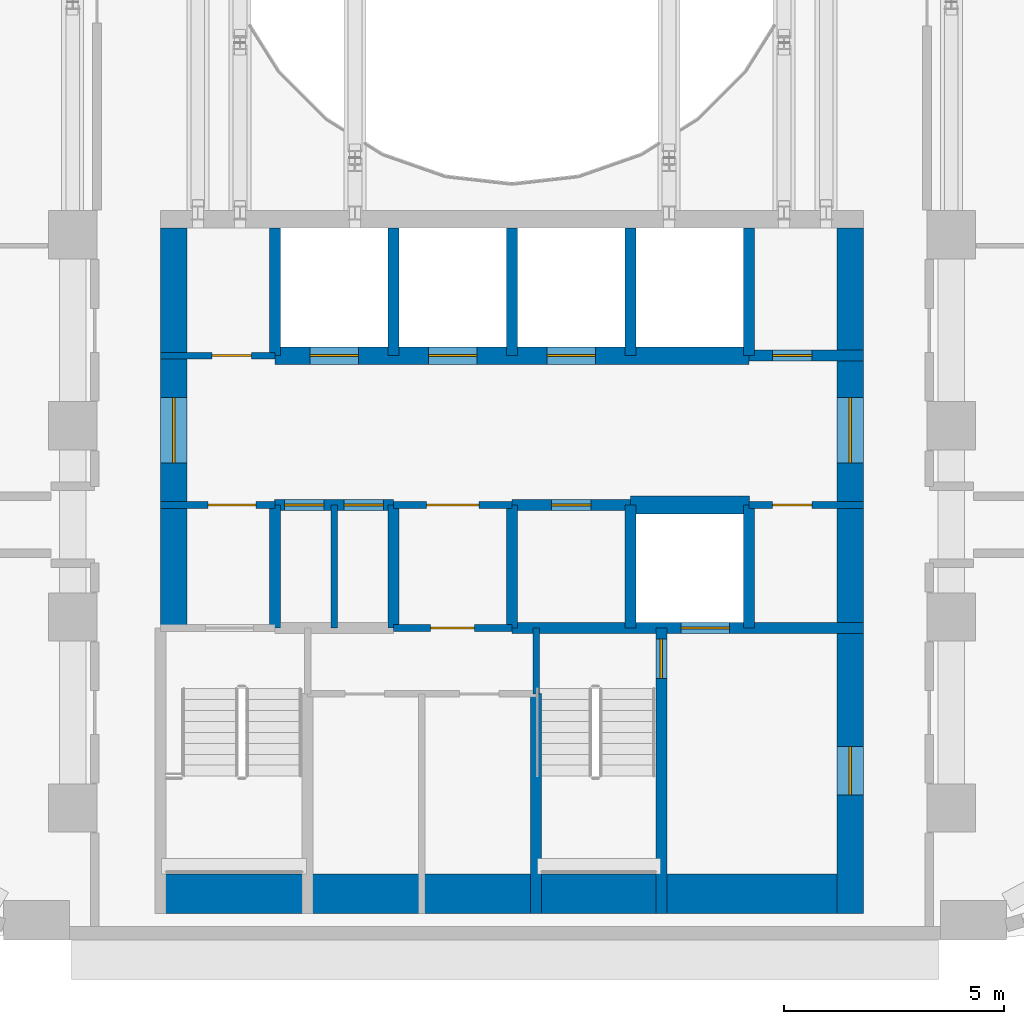
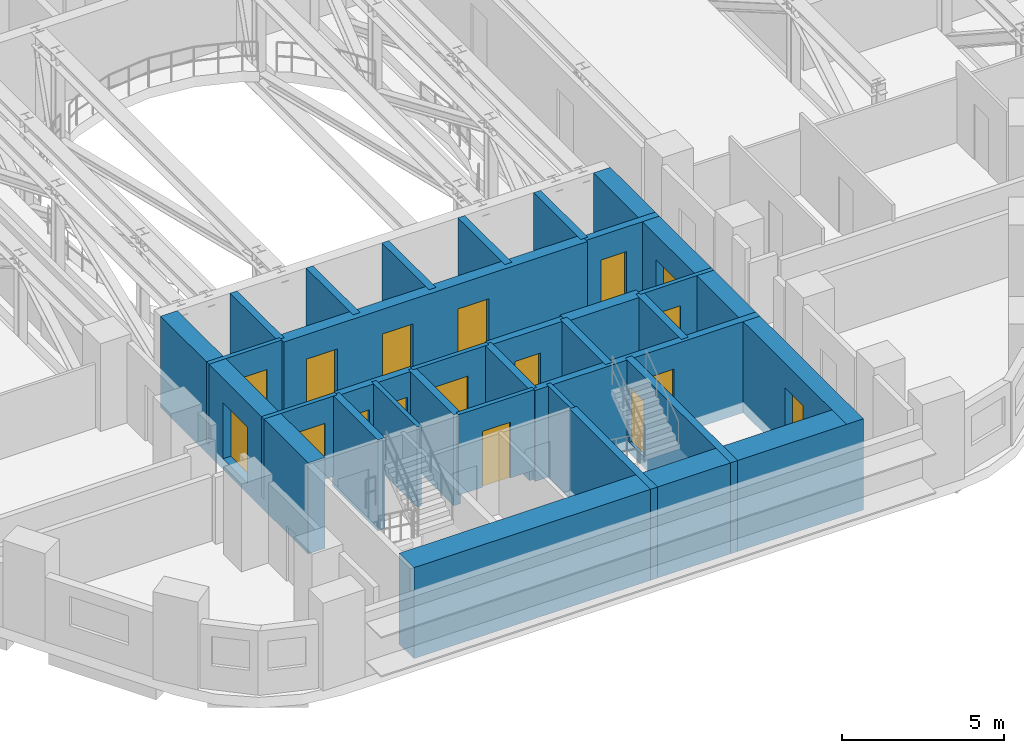
# One storey, part 7 of 18: 28 walls, 17 doors, 17 openings.
"""IFC4 building model written with IfcOpenShell, lengths in metres."""

from ifc_helpers import new_model, si_unit, direction, frame, frame_2d, origin, place, context, subcontext, project, spatial, rectangle, extrude, material, layer, layer_set, type_object, element, fill, save


model = new_model("IFC4")

# Units and contexts
model_context = context("Model", 3, precision=1e-05, world=origin(), true_north=direction((0.0, 1.0)))
body_context = subcontext(model_context, "Body", "Model", "MODEL_VIEW")
ifc_project = project(units=[si_unit("LENGTHUNIT", "METRE"), si_unit("AREAUNIT", "SQUARE_METRE"), si_unit("VOLUMEUNIT", "CUBIC_METRE"), si_unit("PLANEANGLEUNIT", "RADIAN"), si_unit("MASSUNIT", "GRAM", prefix="KILO")], contexts=[model_context])

# Site, building, storey
site_placement = place(None, origin())
site = spatial("IfcSite", under=ifc_project, at=site_placement, CompositionType="ELEMENT")
building_placement = place(site_placement, origin())
building = spatial("IfcBuilding", under=site, at=building_placement, Name="Nakaniwa Court", CompositionType="ELEMENT")
storey_placement = place(building_placement, frame((0.0, 0.0, 38.10009765625)))
storey = spatial("IfcBuildingStorey", under=building, at=storey_placement, Name="L09", CompositionType="ELEMENT", Elevation=38.10009765625)

# Wall, opening, door
ifc_material_1 = material(Name="Blockwork partition", Category="masonry")
ifc_layer_1 = layer(ifc_material_1, 0.14990234375)
ifc_layer_set_1 = layer_set([ifc_layer_1], Name="Blockwork partition")
wall_type_1 = type_object("IfcWallType", Name="Blockwork partition 150", PredefinedType="PARTITIONING", material=ifc_layer_set_1)
wall_1_placement = place(storey_placement, frame((72.0, 69.300048828125, 0.0), z_axis=(0.0, 0.0, 1.0), x_axis=(1.0, 0.0, 0.0)))
wall_1 = element("IfcWall", 1, at=wall_1_placement, inside=storey, type_object=wall_type_1, Name="Partition PW-037", PredefinedType="PARTITIONING", context=body_context, shape_type="SweptSolid", body=[
    extrude(rectangle(XDim=2.60009765625, YDim=0.14990234375, at=frame_2d((1.300048828125, 0.0))), origin(), (0.0, 0.0, 1.0), 3.02490234375),
])
opening_1_placement = place(wall_1_placement, frame((1.175048828125, 0.0, 0.0)))
opening_1 = element("IfcOpeningElement", 2, at=opening_1_placement, cuts=wall_1, Name="Opening D-05-09", PredefinedType="OPENING", context=body_context, shape_type="SweptSolid", body=[
    extrude(rectangle(XDim=0.89990234375, YDim=2.10009765625, at=frame_2d((0.449951171875, 1.050048828125))), frame((0.0, 0.0849609375, 0.0), z_axis=(0.0, -1.0, 0.0), x_axis=(1.0, 0.0, 0.0)), (0.0, 0.0, 1.0), 0.169921875),
])
ifc_material_2 = material(Name="Fire rated steel door set", Category="steel")
door_type_1 = type_object("IfcDoorType", Name="Service room door 900", OperationType="NOTDEFINED", PredefinedType="DOOR", material=ifc_material_2)
door_1_placement = place(opening_1_placement, origin())
door_1 = element("IfcDoor", 3, at=door_1_placement, inside=storey, type_object=door_type_1, Name="Door D-05-09 L09-014", OperationType="SINGLE_SWING_LEFT", OverallHeight=2.10009765625, OverallWidth=0.89990234375, PredefinedType="DOOR", context=body_context, shape_type="SweptSolid", body=[
    extrude(rectangle(XDim=0.89990234375, YDim=2.10009765625, at=frame_2d((0.449951171875, 1.050048828125))), frame((0.0, 0.02490234375, 0.0), z_axis=(0.0, -1.0, 0.0), x_axis=(1.0, 0.0, 0.0)), (0.0, 0.0, 1.0), 0.050048828125),
])
fill(opening_1, door_1)

wall_2_placement = place(storey_placement, frame((74.60302734375, 65.89990234375, 0.0), z_axis=(0.0, 0.0, 1.0), x_axis=(-1.0, 0.0, 0.0)))
wall_2 = element("IfcWall", 4, at=wall_2_placement, inside=storey, type_object=wall_type_1, Name="Partition PW-050", PredefinedType="PARTITIONING", context=body_context, shape_type="SweptSolid", body=[
    extrude(rectangle(XDim=2.60302734375, YDim=0.14990234375, at=frame_2d((1.301513671875, 0.0))), origin(), (0.0, 0.0, 1.0), 3.02490234375),
])
opening_2_placement = place(wall_2_placement, frame((0.427978515625, 0.0, 0.0)))
opening_2 = element("IfcOpeningElement", 5, at=opening_2_placement, cuts=wall_2, Name="Opening D-08-02", PredefinedType="OPENING", context=body_context, shape_type="SweptSolid", body=[
    extrude(rectangle(XDim=1.10009765625, YDim=2.10009765625, at=frame_2d((0.550048828125, 1.050048828125))), frame((0.0, 0.0849609375, 0.0), z_axis=(0.0, -1.0, 0.0), x_axis=(1.0, 0.0, 0.0)), (0.0, 0.0, 1.0), 0.169921875),
])
door_type_2 = type_object("IfcDoorType", Name="Stair lobby door 1100", OperationType="NOTDEFINED", PredefinedType="DOOR", material=ifc_material_2)
door_2_placement = place(opening_2_placement, origin())
door_2 = element("IfcDoor", 6, at=door_2_placement, inside=storey, type_object=door_type_2, Name="Door D-08-02 L09-016", OperationType="SINGLE_SWING_LEFT", OverallHeight=2.10009765625, OverallWidth=1.10009765625, PredefinedType="DOOR", context=body_context, shape_type="SweptSolid", body=[
    extrude(rectangle(XDim=1.10009765625, YDim=2.10009765625, at=frame_2d((0.550048828125, 1.050048828125))), frame((0.0, 0.02490234375, 0.0), z_axis=(0.0, -1.0, 0.0), x_axis=(1.0, 0.0, 0.0)), (0.0, 0.0, 1.0), 0.050048828125),
])
fill(opening_2, door_2)

wall_3_placement = place(storey_placement, frame((80.0029296875, 65.89990234375, 0.0), z_axis=(0.0, 0.0, 1.0), x_axis=(-1.0, 0.0, 0.0)))
wall_3 = element("IfcWall", 7, at=wall_3_placement, inside=storey, type_object=wall_type_1, Name="Partition PW-051", PredefinedType="PARTITIONING", context=body_context, shape_type="SweptSolid", body=[
    extrude(rectangle(XDim=2.705810546875, YDim=0.14990234375, at=frame_2d((1.35302734375, 0.0))), origin(), (0.0, 0.0, 1.0), 3.02490234375),
])
opening_3_placement = place(wall_3_placement, frame((0.7529296875, 0.0, 0.0)))
opening_3 = element("IfcOpeningElement", 8, at=opening_3_placement, cuts=wall_3, Name="Opening D-06-02", PredefinedType="OPENING", context=body_context, shape_type="SweptSolid", body=[
    extrude(rectangle(XDim=1.199951171875, YDim=2.10009765625, at=frame_2d((0.60009765625, 1.050048828125))), frame((0.0, 0.0849609375, 0.0), z_axis=(0.0, -1.0, 0.0), x_axis=(1.0, 0.0, 0.0)), (0.0, 0.0, 1.0), 0.169921875),
])
ifc_material_3 = material(Name="Fire rated steel double door set", Category="steel")
door_type_3 = type_object("IfcDoorType", Name="Service passage double door 1200", OperationType="NOTDEFINED", PredefinedType="DOOR", material=ifc_material_3)
door_3_placement = place(opening_3_placement, origin())
door_3 = element("IfcDoor", 9, at=door_3_placement, inside=storey, type_object=door_type_3, Name="Door D-06-02 L09-019", OperationType="DOUBLE_DOOR_SINGLE_SWING", OverallHeight=2.10009765625, OverallWidth=1.199951171875, PredefinedType="DOOR", context=body_context, shape_type="SweptSolid", body=[
    extrude(rectangle(XDim=1.199951171875, YDim=2.10009765625, at=frame_2d((0.60009765625, 1.050048828125))), frame((0.0, 0.02490234375, 0.0), z_axis=(0.0, -1.0, 0.0), x_axis=(1.0, 0.0, 0.0)), (0.0, 0.0, 1.0), 0.050048828125),
])
fill(opening_3, door_3)

wall_4_placement = place(storey_placement, frame((88.0, 65.89990234375, 0.0), z_axis=(0.0, 0.0, 1.0), x_axis=(-1.0, 0.0, 0.0)))
wall_4 = element("IfcWall", 10, at=wall_4_placement, inside=storey, type_object=wall_type_1, Name="Partition PW-052", PredefinedType="PARTITIONING", context=body_context, shape_type="SweptSolid", body=[
    extrude(rectangle(XDim=2.60302734375, YDim=0.14990234375, at=frame_2d((1.301513671875, 0.0))), origin(), (0.0, 0.0, 1.0), 3.02490234375),
])
opening_4_placement = place(wall_4_placement, frame((1.175048828125, 0.0, 0.0)))
opening_4 = element("IfcOpeningElement", 11, at=opening_4_placement, cuts=wall_4, Name="Opening D-05-14", PredefinedType="OPENING", context=body_context, shape_type="SweptSolid", body=[
    extrude(rectangle(XDim=0.89990234375, YDim=2.10009765625, at=frame_2d((0.449951171875, 1.050048828125))), frame((0.0, 0.0849609375, 0.0), z_axis=(0.0, -1.0, 0.0), x_axis=(1.0, 0.0, 0.0)), (0.0, 0.0, 1.0), 0.169921875),
])
door_4_placement = place(opening_4_placement, origin())
door_4 = element("IfcDoor", 12, at=door_4_placement, inside=storey, type_object=door_type_1, Name="Door D-05-14 L09-021", OperationType="SINGLE_SWING_RIGHT", OverallHeight=2.10009765625, OverallWidth=0.89990234375, PredefinedType="DOOR", context=body_context, shape_type="SweptSolid", body=[
    extrude(rectangle(XDim=0.89990234375, YDim=2.10009765625, at=frame_2d((0.449951171875, 1.050048828125))), frame((0.0, 0.02490234375, 0.0), z_axis=(0.0, -1.0, 0.0), x_axis=(1.0, 0.0, 0.0)), (0.0, 0.0, 1.0), 0.050048828125),
])
fill(opening_4, door_4)

# Wall
wall_5_placement = place(storey_placement, frame((75.949951171875, 63.10009765625, 0.0), z_axis=(0.0, 0.0, 1.0), x_axis=(0.0, 1.0, 0.0)))
element("IfcWall", 13, at=wall_5_placement, inside=storey, type_object=wall_type_1, Name="Partition PW-057", PredefinedType="PARTITIONING", context=body_context, shape_type="SweptSolid", body=[
    extrude(rectangle(XDim=2.7998046875, YDim=0.14990234375, at=frame_2d((1.39990234375, 0.0))), origin(), (0.0, 0.0, 1.0), 3.02490234375),
])

# Wall, opening, door
wall_6_placement = place(storey_placement, frame((80.0, 63.10009765625, 0.0), z_axis=(0.0, 0.0, 1.0), x_axis=(-1.0, 0.0, 0.0)))
wall_6 = element("IfcWall", 14, at=wall_6_placement, inside=storey, type_object=wall_type_1, Name="Partition PW-060", PredefinedType="PARTITIONING", context=body_context, shape_type="SweptSolid", body=[
    extrude(rectangle(XDim=2.699951171875, YDim=0.14990234375, at=frame_2d((1.35009765625, 0.0))), origin(), (0.0, 0.0, 1.0), 3.02490234375),
])
opening_5_placement = place(wall_6_placement, frame((0.85009765625, 0.0, 0.0)))
opening_5 = element("IfcOpeningElement", 15, at=opening_5_placement, cuts=wall_6, Name="Opening D-23-02", PredefinedType="OPENING", context=body_context, shape_type="SweptSolid", body=[
    extrude(rectangle(XDim=1.0, YDim=2.10009765625, at=frame_2d((0.5, 1.050048828125))), frame((0.0, 0.0849609375, 0.0), z_axis=(0.0, -1.0, 0.0), x_axis=(1.0, 0.0, 0.0)), (0.0, 0.0, 1.0), 0.169921875),
])
door_type_4 = type_object("IfcDoorType", Name="Service room door 1000", OperationType="NOTDEFINED", PredefinedType="DOOR", material=ifc_material_2)
door_5_placement = place(opening_5_placement, origin())
door_5 = element("IfcDoor", 16, at=door_5_placement, inside=storey, type_object=door_type_4, Name="Door D-23-02 L09-022", OperationType="SINGLE_SWING_LEFT", OverallHeight=2.10009765625, OverallWidth=1.0, PredefinedType="DOOR", context=body_context, shape_type="SweptSolid", body=[
    extrude(rectangle(XDim=1.0, YDim=2.10009765625, at=frame_2d((0.5, 1.050048828125))), frame((0.0, 0.02490234375, 0.0), z_axis=(0.0, -1.0, 0.0), x_axis=(1.0, 0.0, 0.0)), (0.0, 0.0, 1.0), 0.050048828125),
])
fill(opening_5, door_5)

ifc_material_4 = material(Name="Concrete C100/115", Category="concrete")
ifc_layer_2 = layer(ifc_material_4, 0.60009765625)
ifc_layer_set_2 = layer_set([ifc_layer_2], Name="Concrete C100/115")
wall_type_2 = type_object("IfcWallType", Name="Concrete core side wall 600 C100", PredefinedType="SHEAR", material=ifc_layer_set_2)
wall_7_placement = place(storey_placement, frame((72.300048828125, 63.10009765625, -0.400146484375), z_axis=(0.0, 0.0, 1.0), x_axis=(0.0, 1.0, 0.0)))
wall_7 = element("IfcWall", 17, at=wall_7_placement, inside=storey, type_object=wall_type_2, Name="Core wall SW-38", PredefinedType="SHEAR", context=body_context, shape_type="SweptSolid", body=[
    extrude(rectangle(XDim=9.099853515625, YDim=0.60009765625, at=frame_2d((4.5498046875, 0.0))), origin(), (0.0, 0.0, 1.0), 3.425048828125),
])
opening_6_placement = place(wall_7_placement, frame((3.75, 0.0, 0.39990234375)))
opening_6 = element("IfcOpeningElement", 18, at=opening_6_placement, cuts=wall_7, Name="Opening D-07-04", PredefinedType="OPENING", context=body_context, shape_type="SweptSolid", body=[
    extrude(rectangle(XDim=1.5, YDim=2.10009765625, at=frame_2d((0.75, 1.050048828125))), frame((0.0, 0.31005859375, 0.0), z_axis=(0.0, -1.0, 0.0), x_axis=(1.0, 0.0, 0.0)), (0.0, 0.0, 1.0), 0.6201171875),
])
ifc_material_5 = material(Name="Glazed fire rated steel double door set", Category="steel")
door_type_5 = type_object("IfcDoorType", Name="Lobby double door 1500", OperationType="NOTDEFINED", PredefinedType="DOOR", material=ifc_material_5)
door_6_placement = place(opening_6_placement, origin())
door_6 = element("IfcDoor", 19, at=door_6_placement, inside=storey, type_object=door_type_5, Name="Door D-07-04 L09-046", OperationType="DOUBLE_DOOR_SINGLE_SWING", OverallHeight=2.10009765625, OverallWidth=1.5, PredefinedType="DOOR", context=body_context, shape_type="SweptSolid", body=[
    extrude(rectangle(XDim=1.5, YDim=2.10009765625, at=frame_2d((0.75, 1.050048828125))), frame((0.0, 0.02490234375, 0.0), z_axis=(0.0, -1.0, 0.0), x_axis=(1.0, 0.0, 0.0)), (0.0, 0.0, 1.0), 0.050048828125),
])
fill(opening_6, door_6)

# Wall, openings, doors
wall_8_placement = place(storey_placement, frame((87.699951171875, 72.199951171875, -0.400146484375), z_axis=(0.0, 0.0, 1.0), x_axis=(0.0, -1.0, 0.0)))
wall_8 = element("IfcWall", 20, at=wall_8_placement, inside=storey, type_object=wall_type_2, Name="Core wall SW-49", PredefinedType="SHEAR", context=body_context, shape_type="SweptSolid", body=[
    extrude(rectangle(XDim=15.599853515625, YDim=0.60009765625, at=frame_2d((7.7998046875, 0.0))), origin(), (0.0, 0.0, 1.0), 3.425048828125),
])
opening_7_placement = place(wall_8_placement, frame((3.85009765625, 0.0, 0.39990234375)))
opening_7 = element("IfcOpeningElement", 21, at=opening_7_placement, cuts=wall_8, Name="Opening D-07-03", PredefinedType="OPENING", context=body_context, shape_type="SweptSolid", body=[
    extrude(rectangle(XDim=1.5, YDim=2.10009765625, at=frame_2d((0.75, 1.050048828125))), frame((0.0, 0.31005859375, 0.0), z_axis=(0.0, -1.0, 0.0), x_axis=(1.0, 0.0, 0.0)), (0.0, 0.0, 1.0), 0.6201171875),
])
opening_8_placement = place(wall_8_placement, frame((11.800048828125, 0.0, 0.39990234375)))
opening_8 = element("IfcOpeningElement", 22, at=opening_8_placement, cuts=wall_8, Name="Opening D-10-02", PredefinedType="OPENING", context=body_context, shape_type="SweptSolid", body=[
    extrude(rectangle(XDim=1.10009765625, YDim=2.10009765625, at=frame_2d((0.550048828125, 1.050048828125))), frame((0.0, 0.31005859375, 0.0), z_axis=(0.0, -1.0, 0.0), x_axis=(1.0, 0.0, 0.0)), (0.0, 0.0, 1.0), 0.6201171875),
])
door_type_6 = type_object("IfcDoorType", Name="Firefighting lobby door 1100", OperationType="NOTDEFINED", PredefinedType="DOOR", material=ifc_material_2)
door_7_placement = place(opening_8_placement, origin())
door_7 = element("IfcDoor", 23, at=door_7_placement, inside=storey, type_object=door_type_6, Name="Door D-10-02 L09-047", OperationType="SINGLE_SWING_RIGHT", OverallHeight=2.10009765625, OverallWidth=1.10009765625, PredefinedType="DOOR", context=body_context, shape_type="SweptSolid", body=[
    extrude(rectangle(XDim=1.10009765625, YDim=2.10009765625, at=frame_2d((0.550048828125, 1.050048828125))), frame((0.0, 0.02490234375, 0.0), z_axis=(0.0, -1.0, 0.0), x_axis=(1.0, 0.0, 0.0)), (0.0, 0.0, 1.0), 0.050048828125),
])
fill(opening_8, door_7)
door_8_placement = place(opening_7_placement, origin())
door_8 = element("IfcDoor", 24, at=door_8_placement, inside=storey, type_object=door_type_5, Name="Door D-07-03 L09-045", OperationType="DOUBLE_DOOR_SINGLE_SWING", OverallHeight=2.10009765625, OverallWidth=1.5, PredefinedType="DOOR", context=body_context, shape_type="SweptSolid", body=[
    extrude(rectangle(XDim=1.5, YDim=2.10009765625, at=frame_2d((0.75, 1.050048828125))), frame((0.0, 0.02490234375, 0.0), z_axis=(0.0, -1.0, 0.0), x_axis=(1.0, 0.0, 0.0)), (0.0, 0.0, 1.0), 0.050048828125),
])
fill(opening_7, door_8)

ifc_layer_3 = layer(ifc_material_4, 0.39990234375)
ifc_layer_set_3 = layer_set([ifc_layer_3], Name="Concrete C100/115")
wall_type_3 = type_object("IfcWallType", Name="Concrete core spine wall 400 C100", PredefinedType="SHEAR", material=ifc_layer_set_3)
wall_9_placement = place(storey_placement, frame((74.60009765625, 69.300048828125, -0.400146484375), z_axis=(0.0, 0.0, 1.0), x_axis=(1.0, 0.0, 0.0)))
wall_9 = element("IfcWall", 25, at=wall_9_placement, inside=storey, type_object=wall_type_3, Name="Core wall SW-41", PredefinedType="SHEAR", context=body_context, shape_type="SweptSolid", body=[
    extrude(rectangle(XDim=10.7998046875, YDim=0.39990234375, at=frame_2d((5.39990234375, 0.0))), origin(), (0.0, 0.0, 1.0), 3.425048828125),
])
opening_9_placement = place(wall_9_placement, frame((0.800048828125, 0.0, 0.39990234375)))
opening_9 = element("IfcOpeningElement", 26, at=opening_9_placement, cuts=wall_9, Name="Opening LD05", PredefinedType="OPENING", context=body_context, shape_type="SweptSolid", body=[
    extrude(rectangle(XDim=1.10009765625, YDim=2.10009765625, at=frame_2d((0.550048828125, 1.050048828125))), frame((0.0, 0.2099609375, 0.0), z_axis=(0.0, -1.0, 0.0), x_axis=(1.0, 0.0, 0.0)), (0.0, 0.0, 1.0), 0.419921875),
])
opening_10_placement = place(wall_9_placement, frame((3.5, 0.0, 0.39990234375)))
opening_10 = element("IfcOpeningElement", 27, at=opening_10_placement, cuts=wall_9, Name="Opening LD06", PredefinedType="OPENING", context=body_context, shape_type="SweptSolid", body=[
    extrude(rectangle(XDim=1.10009765625, YDim=2.10009765625, at=frame_2d((0.550048828125, 1.050048828125))), frame((0.0, 0.2099609375, 0.0), z_axis=(0.0, -1.0, 0.0), x_axis=(1.0, 0.0, 0.0)), (0.0, 0.0, 1.0), 0.419921875),
])
opening_11_placement = place(wall_9_placement, frame((6.199951171875, 0.0, 0.39990234375)))
opening_11 = element("IfcOpeningElement", 28, at=opening_11_placement, cuts=wall_9, Name="Opening LD07", PredefinedType="OPENING", context=body_context, shape_type="SweptSolid", body=[
    extrude(rectangle(XDim=1.10009765625, YDim=2.10009765625, at=frame_2d((0.550048828125, 1.050048828125))), frame((0.0, 0.2099609375, 0.0), z_axis=(0.0, -1.0, 0.0), x_axis=(1.0, 0.0, 0.0)), (0.0, 0.0, 1.0), 0.419921875),
])
ifc_material_6 = material(Name="Stainless steel sliding lift landing door", Category="steel")
door_type_7 = type_object("IfcDoorType", Name="Lift landing door 1100", OperationType="NOTDEFINED", PredefinedType="DOOR", material=ifc_material_6)
door_9_placement = place(opening_9_placement, origin())
door_9 = element("IfcDoor", 29, at=door_9_placement, inside=storey, type_object=door_type_7, Name="Lift landing door LD05 L09-005", OperationType="SLIDING_TO_LEFT", OverallHeight=2.10009765625, OverallWidth=1.10009765625, PredefinedType="DOOR", context=body_context, shape_type="SweptSolid", body=[
    extrude(rectangle(XDim=1.10009765625, YDim=2.10009765625, at=frame_2d((0.550048828125, 1.050048828125))), frame((0.0, 0.02490234375, 0.0), z_axis=(0.0, -1.0, 0.0), x_axis=(1.0, 0.0, 0.0)), (0.0, 0.0, 1.0), 0.050048828125),
])
fill(opening_9, door_9)
door_10_placement = place(opening_10_placement, origin())
door_10 = element("IfcDoor", 30, at=door_10_placement, inside=storey, type_object=door_type_7, Name="Lift landing door LD06 L09-006", OperationType="SLIDING_TO_LEFT", OverallHeight=2.10009765625, OverallWidth=1.10009765625, PredefinedType="DOOR", context=body_context, shape_type="SweptSolid", body=[
    extrude(rectangle(XDim=1.10009765625, YDim=2.10009765625, at=frame_2d((0.550048828125, 1.050048828125))), frame((0.0, 0.02490234375, 0.0), z_axis=(0.0, -1.0, 0.0), x_axis=(1.0, 0.0, 0.0)), (0.0, 0.0, 1.0), 0.050048828125),
])
fill(opening_10, door_10)
door_11_placement = place(opening_11_placement, origin())
door_11 = element("IfcDoor", 31, at=door_11_placement, inside=storey, type_object=door_type_7, Name="Lift landing door LD07 L09-007", OperationType="SLIDING_TO_LEFT", OverallHeight=2.10009765625, OverallWidth=1.10009765625, PredefinedType="DOOR", context=body_context, shape_type="SweptSolid", body=[
    extrude(rectangle(XDim=1.10009765625, YDim=2.10009765625, at=frame_2d((0.550048828125, 1.050048828125))), frame((0.0, 0.02490234375, 0.0), z_axis=(0.0, -1.0, 0.0), x_axis=(1.0, 0.0, 0.0)), (0.0, 0.0, 1.0), 0.050048828125),
])
fill(opening_11, door_11)

# Walls
wall_10_placement = place(storey_placement, frame((82.697021484375, 65.89990234375, -0.400146484375), z_axis=(0.0, 0.0, 1.0), x_axis=(1.0, 0.0, 0.0)))
element("IfcWall", 32, at=wall_10_placement, inside=storey, type_object=wall_type_3, Name="Core wall SW-55", PredefinedType="SHEAR", context=body_context, shape_type="SweptSolid", body=[
    extrude(rectangle(XDim=2.7060546875, YDim=0.39990234375, at=frame_2d((1.35302734375, 0.0))), origin(), (0.0, 0.0, 1.0), 3.425048828125),
])
ifc_layer_4 = layer(ifc_material_4, 0.14990234375)
ifc_layer_set_4 = layer_set([ifc_layer_4], Name="Concrete C100/115")
wall_type_4 = type_object("IfcWallType", Name="Concrete core wall 150 C100", PredefinedType="SHEAR", material=ifc_layer_set_4)
wall_11_placement = place(storey_placement, frame((80.550048828125, 61.596923828125, -0.400146484375), z_axis=(0.0, 0.0, 1.0), x_axis=(0.0, 1.0, 0.0)))
element("IfcWall", 33, at=wall_11_placement, inside=storey, type_object=wall_type_4, Name="Core wall SW-65", PredefinedType="SHEAR", context=body_context, shape_type="SweptSolid", body=[
    extrude(rectangle(XDim=1.503173828125, YDim=0.14990234375, at=frame_2d((0.75146484375, 0.0))), origin(), (0.0, 0.0, 1.0), 3.425048828125),
])
ifc_layer_5 = layer(ifc_material_4, 0.89990234375)
ifc_layer_set_5 = layer_set([ifc_layer_5], Name="Concrete C100/115")
wall_type_5 = type_object("IfcWallType", Name="Concrete core wall 900 C100", PredefinedType="SHEAR", material=ifc_layer_set_5)
wall_12_placement = place(storey_placement, frame((72.00390625, 57.050048828125, -0.400146484375), z_axis=(0.0, 0.0, 1.0), x_axis=(1.0, 0.0, 0.0)))
element("IfcWall", 34, at=wall_12_placement, inside=storey, type_object=wall_type_5, Name="Core wall SW-113", PredefinedType="SHEAR", context=body_context, shape_type="SweptSolid", body=[
    extrude(rectangle(XDim=15.9921875, YDim=0.89990234375, at=frame_2d((7.99609375, 0.0))), origin(), (0.0, 0.0, 1.0), 3.425048828125),
])
ifc_layer_6 = layer(ifc_material_4, 0.25)
ifc_layer_set_6 = layer_set([ifc_layer_6], Name="Concrete C100/115")
wall_type_6 = type_object("IfcWallType", Name="Concrete shaft wall 250 C100", PredefinedType="SHEAR", material=ifc_layer_set_6)
wall_13_placement = place(storey_placement, frame((74.60009765625, 63.10009765625, -0.400146484375), z_axis=(0.0, 0.0, 1.0), x_axis=(0.0, 1.0, 0.0)))
element("IfcWall", 35, at=wall_13_placement, inside=storey, type_object=wall_type_6, Name="Core wall SW-35", PredefinedType="SHEAR", context=body_context, shape_type="SweptSolid", body=[
    extrude(rectangle(XDim=2.7998046875, YDim=0.25, at=frame_2d((1.39990234375, 0.0))), origin(), (0.0, 0.0, 1.0), 3.425048828125),
])
wall_14_placement = place(storey_placement, frame((74.60009765625, 69.300048828125, -0.400146484375), z_axis=(0.0, 0.0, 1.0), x_axis=(0.0, 1.0, 0.0)))
element("IfcWall", 36, at=wall_14_placement, inside=storey, type_object=wall_type_6, Name="Core wall SW-36", PredefinedType="SHEAR", context=body_context, shape_type="SweptSolid", body=[
    extrude(rectangle(XDim=2.89990234375, YDim=0.25, at=frame_2d((1.449951171875, 0.0))), origin(), (0.0, 0.0, 1.0), 3.425048828125),
])
wall_15_placement = place(storey_placement, frame((77.300048828125, 63.10009765625, -0.400146484375), z_axis=(0.0, 0.0, 1.0), x_axis=(0.0, 1.0, 0.0)))
element("IfcWall", 37, at=wall_15_placement, inside=storey, type_object=wall_type_6, Name="Core wall SW-39", PredefinedType="SHEAR", context=body_context, shape_type="SweptSolid", body=[
    extrude(rectangle(XDim=2.7998046875, YDim=0.25, at=frame_2d((1.39990234375, 0.0))), origin(), (0.0, 0.0, 1.0), 3.425048828125),
])
wall_16_placement = place(storey_placement, frame((77.300048828125, 69.300048828125, -0.400146484375), z_axis=(0.0, 0.0, 1.0), x_axis=(0.0, 1.0, 0.0)))
element("IfcWall", 38, at=wall_16_placement, inside=storey, type_object=wall_type_6, Name="Core wall SW-40", PredefinedType="SHEAR", context=body_context, shape_type="SweptSolid", body=[
    extrude(rectangle(XDim=2.89990234375, YDim=0.25, at=frame_2d((1.449951171875, 0.0))), origin(), (0.0, 0.0, 1.0), 3.425048828125),
])
wall_17_placement = place(storey_placement, frame((80.0, 63.10009765625, -0.400146484375), z_axis=(0.0, 0.0, 1.0), x_axis=(0.0, 1.0, 0.0)))
element("IfcWall", 39, at=wall_17_placement, inside=storey, type_object=wall_type_6, Name="Core wall SW-42", PredefinedType="SHEAR", context=body_context, shape_type="SweptSolid", body=[
    extrude(rectangle(XDim=2.7998046875, YDim=0.25, at=frame_2d((1.39990234375, 0.0))), origin(), (0.0, 0.0, 1.0), 3.425048828125),
])
wall_18_placement = place(storey_placement, frame((80.0, 69.300048828125, -0.400146484375), z_axis=(0.0, 0.0, 1.0), x_axis=(0.0, 1.0, 0.0)))
element("IfcWall", 40, at=wall_18_placement, inside=storey, type_object=wall_type_6, Name="Core wall SW-43", PredefinedType="SHEAR", context=body_context, shape_type="SweptSolid", body=[
    extrude(rectangle(XDim=2.89990234375, YDim=0.25, at=frame_2d((1.449951171875, 0.0))), origin(), (0.0, 0.0, 1.0), 3.425048828125),
])
wall_19_placement = place(storey_placement, frame((82.699951171875, 63.10009765625, -0.400146484375), z_axis=(0.0, 0.0, 1.0), x_axis=(0.0, 1.0, 0.0)))
element("IfcWall", 41, at=wall_19_placement, inside=storey, type_object=wall_type_6, Name="Core wall SW-44", PredefinedType="SHEAR", context=body_context, shape_type="SweptSolid", body=[
    extrude(rectangle(XDim=2.7998046875, YDim=0.25, at=frame_2d((1.39990234375, 0.0))), origin(), (0.0, 0.0, 1.0), 3.425048828125),
])
wall_20_placement = place(storey_placement, frame((82.699951171875, 69.300048828125, -0.400146484375), z_axis=(0.0, 0.0, 1.0), x_axis=(0.0, 1.0, 0.0)))
element("IfcWall", 42, at=wall_20_placement, inside=storey, type_object=wall_type_6, Name="Core wall SW-45", PredefinedType="SHEAR", context=body_context, shape_type="SweptSolid", body=[
    extrude(rectangle(XDim=2.89990234375, YDim=0.25, at=frame_2d((1.449951171875, 0.0))), origin(), (0.0, 0.0, 1.0), 3.425048828125),
])
wall_21_placement = place(storey_placement, frame((85.39990234375, 63.10009765625, -0.400146484375), z_axis=(0.0, 0.0, 1.0), x_axis=(0.0, 1.0, 0.0)))
element("IfcWall", 43, at=wall_21_placement, inside=storey, type_object=wall_type_6, Name="Core wall SW-46", PredefinedType="SHEAR", context=body_context, shape_type="SweptSolid", body=[
    extrude(rectangle(XDim=2.7998046875, YDim=0.25, at=frame_2d((1.39990234375, 0.0))), origin(), (0.0, 0.0, 1.0), 3.425048828125),
])
wall_22_placement = place(storey_placement, frame((85.39990234375, 69.300048828125, -0.400146484375), z_axis=(0.0, 0.0, 1.0), x_axis=(0.0, 1.0, 0.0)))
element("IfcWall", 44, at=wall_22_placement, inside=storey, type_object=wall_type_6, Name="Core wall SW-47", PredefinedType="SHEAR", context=body_context, shape_type="SweptSolid", body=[
    extrude(rectangle(XDim=2.89990234375, YDim=0.25, at=frame_2d((1.449951171875, 0.0))), origin(), (0.0, 0.0, 1.0), 3.425048828125),
])

# Wall, opening, door
wall_23_placement = place(storey_placement, frame((85.39990234375, 69.300048828125, -0.400146484375), z_axis=(0.0, 0.0, 1.0), x_axis=(1.0, 0.0, 0.0)))
wall_23 = element("IfcWall", 45, at=wall_23_placement, inside=storey, type_object=wall_type_6, Name="Core wall SW-48", PredefinedType="SHEAR", context=body_context, shape_type="SweptSolid", body=[
    extrude(rectangle(XDim=2.60009765625, YDim=0.25, at=frame_2d((1.300048828125, 0.0))), origin(), (0.0, 0.0, 1.0), 3.425048828125),
])
opening_12_placement = place(wall_23_placement, frame((0.52490234375, 0.0, 0.39990234375)))
opening_12 = element("IfcOpeningElement", 46, at=opening_12_placement, cuts=wall_23, Name="Opening D-05-10", PredefinedType="OPENING", context=body_context, shape_type="SweptSolid", body=[
    extrude(rectangle(XDim=0.89990234375, YDim=2.10009765625, at=frame_2d((0.449951171875, 1.050048828125))), frame((0.0, 0.135009765625, 0.0), z_axis=(0.0, -1.0, 0.0), x_axis=(1.0, 0.0, 0.0)), (0.0, 0.0, 1.0), 0.27001953125),
])
door_12_placement = place(opening_12_placement, origin())
door_12 = element("IfcDoor", 47, at=door_12_placement, inside=storey, type_object=door_type_1, Name="Door D-05-10 L09-015", OperationType="SINGLE_SWING_RIGHT", OverallHeight=2.10009765625, OverallWidth=0.89990234375, PredefinedType="DOOR", context=body_context, shape_type="SweptSolid", body=[
    extrude(rectangle(XDim=0.89990234375, YDim=2.10009765625, at=frame_2d((0.449951171875, 1.050048828125))), frame((0.0, 0.02490234375, 0.0), z_axis=(0.0, -1.0, 0.0), x_axis=(1.0, 0.0, 0.0)), (0.0, 0.0, 1.0), 0.050048828125),
])
fill(opening_12, door_12)

# Wall, openings, doors
wall_24_placement = place(storey_placement, frame((77.302978515625, 65.89990234375, -0.400146484375), z_axis=(0.0, 0.0, 1.0), x_axis=(-1.0, 0.0, 0.0)))
wall_24 = element("IfcWall", 48, at=wall_24_placement, inside=storey, type_object=wall_type_6, Name="Core wall SW-53", PredefinedType="SHEAR", context=body_context, shape_type="SweptSolid", body=[
    extrude(rectangle(XDim=2.7060546875, YDim=0.25, at=frame_2d((1.35302734375, 0.0))), origin(), (0.0, 0.0, 1.0), 3.425048828125),
])
opening_13_placement = place(wall_24_placement, frame((1.577880859375, 0.0, 0.39990234375)))
opening_13 = element("IfcOpeningElement", 49, at=opening_13_placement, cuts=wall_24, Name="Opening D-05-11", PredefinedType="OPENING", context=body_context, shape_type="SweptSolid", body=[
    extrude(rectangle(XDim=0.89990234375, YDim=2.10009765625, at=frame_2d((0.449951171875, 1.050048828125))), frame((0.0, 0.135009765625, 0.0), z_axis=(0.0, -1.0, 0.0), x_axis=(1.0, 0.0, 0.0)), (0.0, 0.0, 1.0), 0.27001953125),
])
opening_14_placement = place(wall_24_placement, frame((0.22802734375, 0.0, 0.39990234375)))
opening_14 = element("IfcOpeningElement", 50, at=opening_14_placement, cuts=wall_24, Name="Opening D-05-12", PredefinedType="OPENING", context=body_context, shape_type="SweptSolid", body=[
    extrude(rectangle(XDim=0.89990234375, YDim=2.10009765625, at=frame_2d((0.449951171875, 1.050048828125))), frame((0.0, 0.135009765625, 0.0), z_axis=(0.0, -1.0, 0.0), x_axis=(1.0, 0.0, 0.0)), (0.0, 0.0, 1.0), 0.27001953125),
])
door_13_placement = place(opening_13_placement, origin())
door_13 = element("IfcDoor", 51, at=door_13_placement, inside=storey, type_object=door_type_1, Name="Door D-05-11 L09-017", OperationType="SINGLE_SWING_RIGHT", OverallHeight=2.10009765625, OverallWidth=0.89990234375, PredefinedType="DOOR", context=body_context, shape_type="SweptSolid", body=[
    extrude(rectangle(XDim=0.89990234375, YDim=2.10009765625, at=frame_2d((0.449951171875, 1.050048828125))), frame((0.0, 0.02490234375, 0.0), z_axis=(0.0, -1.0, 0.0), x_axis=(1.0, 0.0, 0.0)), (0.0, 0.0, 1.0), 0.050048828125),
])
fill(opening_13, door_13)
door_14_placement = place(opening_14_placement, origin())
door_14 = element("IfcDoor", 52, at=door_14_placement, inside=storey, type_object=door_type_1, Name="Door D-05-12 L09-018", OperationType="SINGLE_SWING_LEFT", OverallHeight=2.10009765625, OverallWidth=0.89990234375, PredefinedType="DOOR", context=body_context, shape_type="SweptSolid", body=[
    extrude(rectangle(XDim=0.89990234375, YDim=2.10009765625, at=frame_2d((0.449951171875, 1.050048828125))), frame((0.0, 0.02490234375, 0.0), z_axis=(0.0, -1.0, 0.0), x_axis=(1.0, 0.0, 0.0)), (0.0, 0.0, 1.0), 0.050048828125),
])
fill(opening_14, door_14)

# Wall, opening, door
wall_25_placement = place(storey_placement, frame((82.702880859375, 65.89990234375, -0.400146484375), z_axis=(0.0, 0.0, 1.0), x_axis=(-1.0, 0.0, 0.0)))
wall_25 = element("IfcWall", 53, at=wall_25_placement, inside=storey, type_object=wall_type_6, Name="Core wall SW-54", PredefinedType="SHEAR", context=body_context, shape_type="SweptSolid", body=[
    extrude(rectangle(XDim=2.705810546875, YDim=0.25, at=frame_2d((1.35302734375, 0.0))), origin(), (0.0, 0.0, 1.0), 3.425048828125),
])
opening_15_placement = place(wall_25_placement, frame((0.903076171875, 0.0, 0.39990234375)))
opening_15 = element("IfcOpeningElement", 54, at=opening_15_placement, cuts=wall_25, Name="Opening D-05-13", PredefinedType="OPENING", context=body_context, shape_type="SweptSolid", body=[
    extrude(rectangle(XDim=0.89990234375, YDim=2.10009765625, at=frame_2d((0.449951171875, 1.050048828125))), frame((0.0, 0.135009765625, 0.0), z_axis=(0.0, -1.0, 0.0), x_axis=(1.0, 0.0, 0.0)), (0.0, 0.0, 1.0), 0.27001953125),
])
door_15_placement = place(opening_15_placement, origin())
door_15 = element("IfcDoor", 55, at=door_15_placement, inside=storey, type_object=door_type_1, Name="Door D-05-13 L09-020", OperationType="SINGLE_SWING_LEFT", OverallHeight=2.10009765625, OverallWidth=0.89990234375, PredefinedType="DOOR", context=body_context, shape_type="SweptSolid", body=[
    extrude(rectangle(XDim=0.89990234375, YDim=2.10009765625, at=frame_2d((0.449951171875, 1.050048828125))), frame((0.0, 0.02490234375, 0.0), z_axis=(0.0, -1.0, 0.0), x_axis=(1.0, 0.0, 0.0)), (0.0, 0.0, 1.0), 0.050048828125),
])
fill(opening_15, door_15)

wall_26_placement = place(storey_placement, frame((80.0, 63.10009765625, -0.400146484375), z_axis=(0.0, 0.0, 1.0), x_axis=(1.0, 0.0, 0.0)))
wall_26 = element("IfcWall", 56, at=wall_26_placement, inside=storey, type_object=wall_type_6, Name="Core wall SW-59", PredefinedType="SHEAR", context=body_context, shape_type="SweptSolid", body=[
    extrude(rectangle(XDim=8.0, YDim=0.25, at=frame_2d((4.0, 0.0))), origin(), (0.0, 0.0, 1.0), 3.425048828125),
])
opening_16_placement = place(wall_26_placement, frame((3.84912109375, 0.0, 0.39990234375)))
opening_16 = element("IfcOpeningElement", 57, at=opening_16_placement, cuts=wall_26, Name="Opening LD08", PredefinedType="OPENING", context=body_context, shape_type="SweptSolid", body=[
    extrude(rectangle(XDim=1.10009765625, YDim=2.10009765625, at=frame_2d((0.550048828125, 1.050048828125))), frame((0.0, 0.135009765625, 0.0), z_axis=(0.0, -1.0, 0.0), x_axis=(1.0, 0.0, 0.0)), (0.0, 0.0, 1.0), 0.27001953125),
])
door_16_placement = place(opening_16_placement, origin())
door_16 = element("IfcDoor", 58, at=door_16_placement, inside=storey, type_object=door_type_7, Name="Lift landing door LD08 L09-008", OperationType="SLIDING_TO_LEFT", OverallHeight=2.10009765625, OverallWidth=1.10009765625, PredefinedType="DOOR", context=body_context, shape_type="SweptSolid", body=[
    extrude(rectangle(XDim=1.10009765625, YDim=2.10009765625, at=frame_2d((0.550048828125, 1.050048828125))), frame((0.0, 0.02490234375, 0.0), z_axis=(0.0, -1.0, 0.0), x_axis=(1.0, 0.0, 0.0)), (0.0, 0.0, 1.0), 0.050048828125),
])
fill(opening_16, door_16)

wall_27_placement = place(storey_placement, frame((83.39990234375, 63.10009765625, -0.400146484375), z_axis=(0.0, 0.0, 1.0), x_axis=(0.0, -1.0, 0.0)))
wall_27 = element("IfcWall", 59, at=wall_27_placement, inside=storey, type_object=wall_type_6, Name="Core wall SW-64", PredefinedType="SHEAR", context=body_context, shape_type="SweptSolid", body=[
    extrude(rectangle(XDim=6.5, YDim=0.25, at=frame_2d((3.25, 0.0))), origin(), (0.0, 0.0, 1.0), 3.425048828125),
])
opening_17_placement = place(wall_27_placement, frame((0.25, 0.0, 0.39990234375)))
opening_17 = element("IfcOpeningElement", 60, at=opening_17_placement, cuts=wall_27, Name="Opening D-11-02", PredefinedType="OPENING", context=body_context, shape_type="SweptSolid", body=[
    extrude(rectangle(XDim=0.89990234375, YDim=2.10009765625, at=frame_2d((0.449951171875, 1.050048828125))), frame((0.0, 0.135009765625, 0.0), z_axis=(0.0, -1.0, 0.0), x_axis=(1.0, 0.0, 0.0)), (0.0, 0.0, 1.0), 0.27001953125),
])
door_type_8 = type_object("IfcDoorType", Name="Stair door 900", OperationType="NOTDEFINED", PredefinedType="DOOR", material=ifc_material_2)
door_17_placement = place(opening_17_placement, origin())
door_17 = element("IfcDoor", 61, at=door_17_placement, inside=storey, type_object=door_type_8, Name="Door D-11-02 L09-026", OperationType="SINGLE_SWING_RIGHT", OverallHeight=2.10009765625, OverallWidth=0.89990234375, PredefinedType="DOOR", context=body_context, shape_type="SweptSolid", body=[
    extrude(rectangle(XDim=0.89990234375, YDim=2.10009765625, at=frame_2d((0.449951171875, 1.050048828125))), frame((0.0, 0.02490234375, 0.0), z_axis=(0.0, -1.0, 0.0), x_axis=(1.0, 0.0, 0.0)), (0.0, 0.0, 1.0), 0.050048828125),
])
fill(opening_17, door_17)

# Wall
wall_28_placement = place(storey_placement, frame((80.550048828125, 56.60009765625, -0.400146484375), z_axis=(0.0, 0.0, 1.0), x_axis=(0.0, 1.0, 0.0)))
element("IfcWall", 62, at=wall_28_placement, inside=storey, type_object=wall_type_6, Name="Core wall SW-66", PredefinedType="SHEAR", context=body_context, shape_type="SweptSolid", body=[
    extrude(rectangle(XDim=5.0029296875, YDim=0.25, at=frame_2d((2.50146484375, 0.0))), origin(), (0.0, 0.0, 1.0), 3.425048828125),
])

save(model, "model.ifc")
